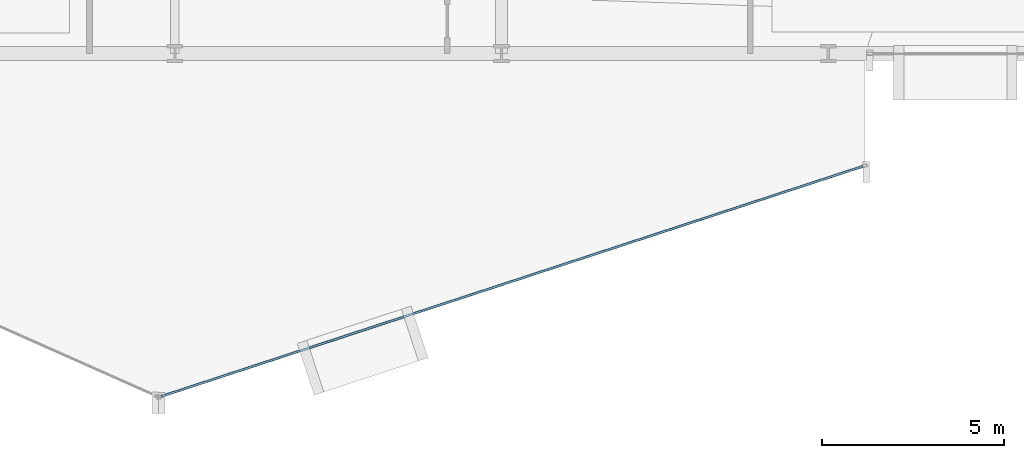
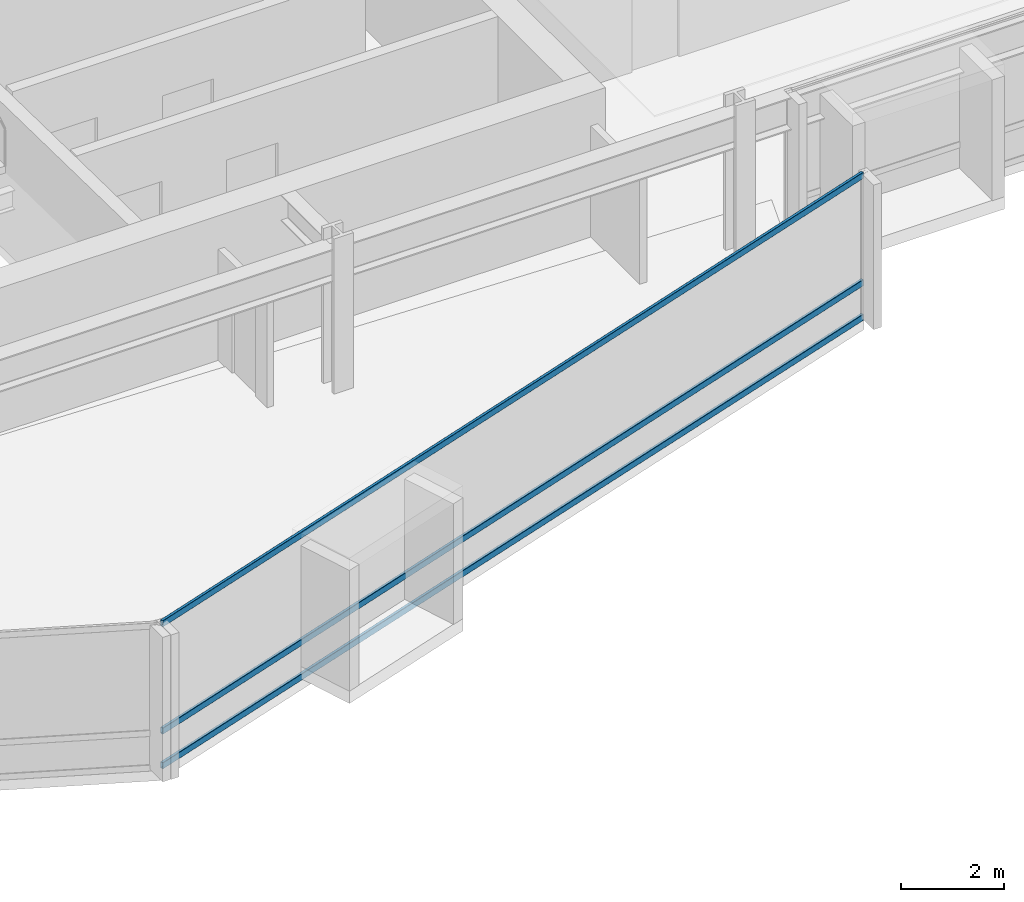
# One storey, part 9 of 34: 3 members, 1 element without a shape of its own.
"""IFC4 building model written with IfcOpenShell, lengths in metres."""

from ifc_helpers import new_model, si_unit, direction, frame, origin, origin_2d, place, context, subcontext, project, spatial, hollow_rectangle, extrude, material, layer, layer_set, material_profile, profile_set, type_object, element, aggregate, save


model = new_model("IFC4")

# Units and contexts
model_context = context("Model", 3, precision=1e-05, world=origin(), true_north=direction((0.0, 1.0)))
body_context = subcontext(model_context, "Body", "Model", "MODEL_VIEW")
ifc_project = project(units=[si_unit("LENGTHUNIT", "METRE"), si_unit("AREAUNIT", "SQUARE_METRE"), si_unit("VOLUMEUNIT", "CUBIC_METRE"), si_unit("PLANEANGLEUNIT", "RADIAN"), si_unit("MASSUNIT", "GRAM", prefix="KILO")], contexts=[model_context])

# Site, building, storey
site_placement = place(None, origin())
site = spatial("IfcSite", under=ifc_project, at=site_placement, CompositionType="ELEMENT")
building_placement = place(site_placement, origin())
building = spatial("IfcBuilding", under=site, at=building_placement, Name="Solvaryn Broadcast Tower", CompositionType="ELEMENT")
storey_placement = place(building_placement, frame((0.0, 0.0, 39.699951171875)))
storey = spatial("IfcBuildingStorey", under=building, at=storey_placement, Name="L08", CompositionType="ELEMENT", Elevation=39.699951171875)

# Curtain wall, members
ifc_material_1 = material(Name="Aluminium and Terracotta Unitised Curtain Wall", Category="masonry")
ifc_layer = layer(ifc_material_1, 0.199951171875)
ifc_layer_set = layer_set([ifc_layer], Name="CW-SYS2-LOWMID")
curtain_wall_type = type_object("IfcCurtainWallType", Name="CW-SYS2-LOWMID", PredefinedType="NOTDEFINED", material=ifc_layer_set)
curtain_wall_placement = place(storey_placement, origin())
curtain_wall = element("IfcCurtainWall", 1, at=curtain_wall_placement, inside=storey, type_object=curtain_wall_type, Name="L08 Curtain Wall DR4", PredefinedType="NOTDEFINED")
ifc_material_2 = material(Name="Anodised Aluminium 6063-T6", Category="aluminium")
ifc_material_profile = material_profile(ifc_material_2, hollow_rectangle(XDim=0.06494140625, YDim=0.14990234375, WallThickness=0.00390625, InnerFilletRadius=0.00390625, OuterFilletRadius=0.008056640625, at=origin_2d()))
ifc_profile_set = profile_set([ifc_material_profile], Name="Anodised Aluminium 6063-T6")
member_type = type_object("IfcMemberType", Name="CW-TRN-150", PredefinedType="USERDEFINED", material=ifc_profile_set)
member_1_placement = place(storey_placement, frame((26.616943359375, -0.4453125, 0.030029296875), z_axis=(0.950216792475, 0.311589549406, 0.0), x_axis=(-0.311589549406, 0.950216792475, 0.0)))
member_1 = element("IfcMember", 2, at=member_1_placement, type_object=member_type, Name="CWS2 transom 1.1", ObjectType="TRANSOM", PredefinedType="USERDEFINED", context=body_context, shape_type="SweptSolid", body=[
    extrude(hollow_rectangle(XDim=0.06494140625, YDim=0.14990234375, WallThickness=0.00390625, InnerFilletRadius=0.00390625, OuterFilletRadius=0.008056640625, at=origin_2d()), origin(), (0.0, 0.0, 1.0), 20.35546875),
])
member_2_placement = place(storey_placement, frame((26.616943359375, -0.4453125, 0.85009765625), z_axis=(0.950216792475, 0.311589549406, 0.0), x_axis=(-0.311589549406, 0.950216792475, 0.0)))
member_2 = element("IfcMember", 3, at=member_2_placement, type_object=member_type, Name="CWS2 transom 1.2", ObjectType="TRANSOM", PredefinedType="USERDEFINED", context=body_context, shape_type="SweptSolid", body=[
    extrude(hollow_rectangle(XDim=0.06494140625, YDim=0.14990234375, WallThickness=0.00390625, InnerFilletRadius=0.00390625, OuterFilletRadius=0.008056640625, at=origin_2d()), origin(), (0.0, 0.0, 1.0), 20.35546875),
])
member_3_placement = place(storey_placement, frame((26.616943359375, -0.4453125, 3.39013671875), z_axis=(0.950216792475, 0.311589549406, 0.0), x_axis=(-0.311589549406, 0.950216792475, 0.0)))
member_3 = element("IfcMember", 4, at=member_3_placement, type_object=member_type, Name="CWS2 transom 1.3", ObjectType="TRANSOM", PredefinedType="USERDEFINED", context=body_context, shape_type="SweptSolid", body=[
    extrude(hollow_rectangle(XDim=0.06494140625, YDim=0.14990234375, WallThickness=0.00390625, InnerFilletRadius=0.00390625, OuterFilletRadius=0.008056640625, at=origin_2d()), origin(), (0.0, 0.0, 1.0), 20.35546875),
])
aggregate(curtain_wall, [member_1, member_2, member_3])

save(model, "model.ifc")
